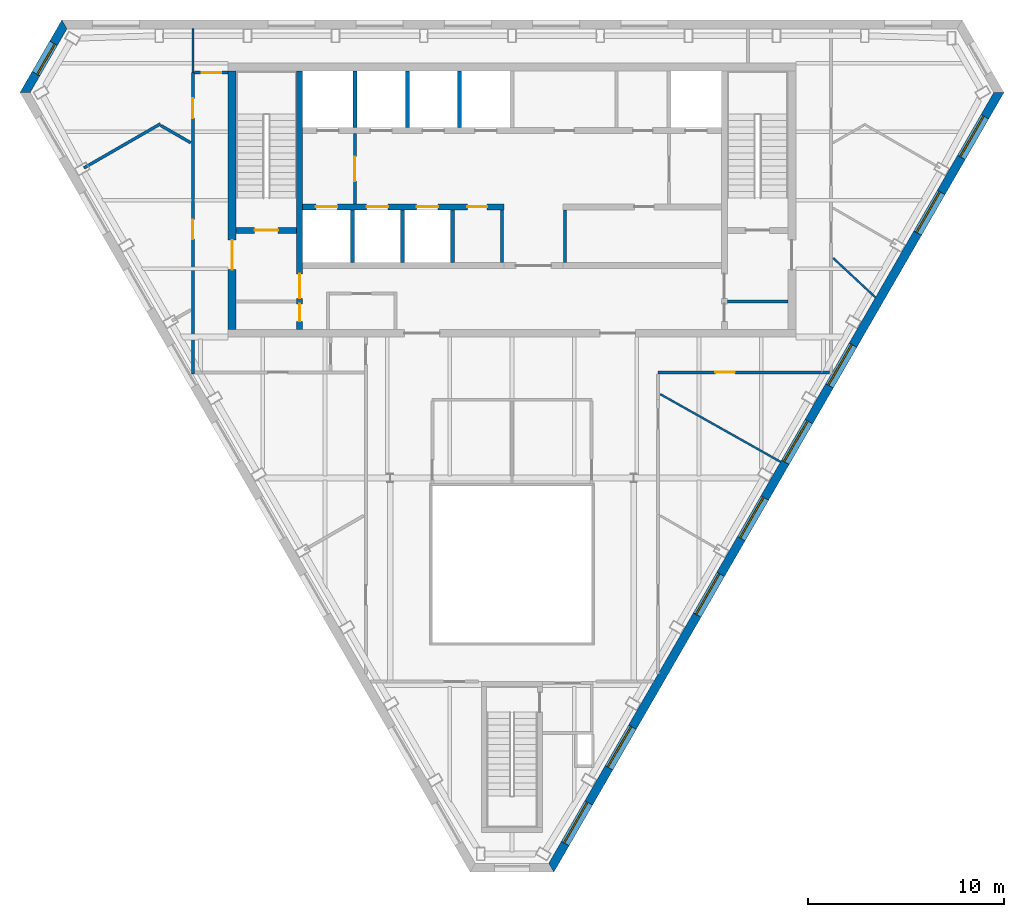
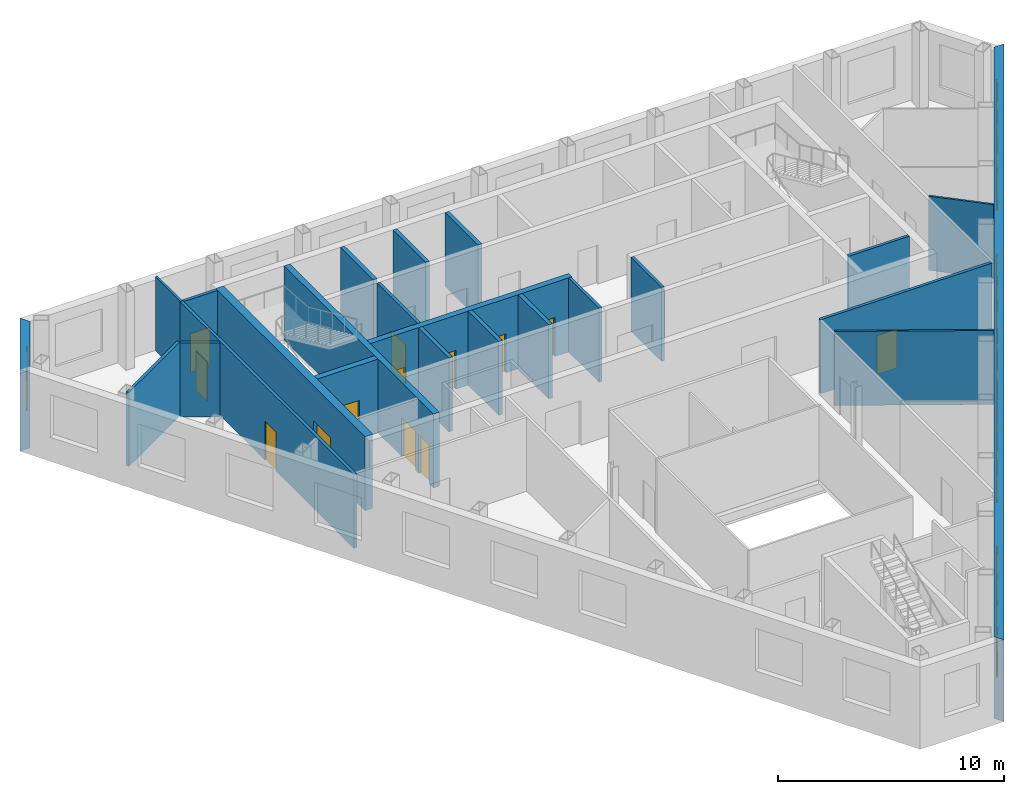
# One storey, part 5 of 9: 24 walls, 13 doors, 9 windows, 22 openings.
"""IFC4 building model written with IfcOpenShell, lengths in metres."""

import ifcopenshell
import ifcopenshell.guid

model = None  # the IFC model being written
_history = None  # IfcOwnerHistory: only IFC2X3 demands one
_inside = {}  # id of a spatial element -> (the spatial element, [elements in it])
_under = {}  # id of a project, library or spatial element -> (it, [spatial elements below it])
_declared = {}  # id of a project -> (the project, [libraries it declares])
_typed = {}  # id of a type object -> (the type object, [elements of that type])
_made_of = {}  # id of a material, layer set ... -> (it, [elements and type objects made of it])


def new_model(schema):
    """Start an empty IFC model of exactly this schema.

    Asked for "IFC4X3", IfcOpenShell would pick the latest addendum, in which some entities
    have other attributes; the version numbers below select the first issue.
    IFC2X3 requires an IfcOwnerHistory on every rooted entity: one is made here for all.
    """
    global model, _history
    if schema == "IFC4X3":
        model = ifcopenshell.file(schema_version=(4, 3, 0, 0))
    else:
        model = ifcopenshell.file(schema=schema)
    _inside.clear()
    _under.clear()
    _declared.clear()
    _typed.clear()
    _made_of.clear()
    _history = None
    if model.schema == "IFC2X3":
        org = make("IfcOrganization", Name="unknown")
        user = make(
            "IfcPersonAndOrganization",
            ThePerson=make("IfcPerson", FamilyName="unknown"),
            TheOrganization=org,
        )
        app = make(
            "IfcApplication",
            ApplicationDeveloper=org,
            Version="unknown",
            ApplicationFullName="unknown",
            ApplicationIdentifier="unknown",
        )
        _history = make(
            "IfcOwnerHistory",
            OwningUser=user,
            OwningApplication=app,
            ChangeAction="ADDED",
            CreationDate=0,
        )
    return model


def make(cls, **values):
    """One entity of the class cls with the attributes given. An attribute that is None is left unset."""
    return model.create_entity(
        cls, **{name: value for name, value in values.items() if value is not None}
    )


def rooted(cls, **values):
    """An entity with a GlobalId (a new one), such as an element, a storey or a relation."""
    return make(cls, GlobalId=ifcopenshell.guid.new(), OwnerHistory=_history, **values)


def si_unit(unit_type, name, prefix=None):
    """IfcSIUnit, for example si_unit("LENGTHUNIT", "METRE", prefix="MILLI")."""
    return make("IfcSIUnit", UnitType=unit_type, Prefix=prefix, Name=name)


def assignment(units):
    """IfcUnitAssignment: the units of a project."""
    return None if units is None else make("IfcUnitAssignment", Units=units)


def point(xyz):
    """IfcCartesianPoint."""
    return None if xyz is None else make("IfcCartesianPoint", Coordinates=xyz)


def direction(xyz):
    """IfcDirection."""
    return None if xyz is None else make("IfcDirection", DirectionRatios=xyz)


def frame(location, z_axis=None, x_axis=None):
    """IfcAxis2Placement3D, a coordinate frame: its origin and axes. An axis left out is left unset."""
    return make(
        "IfcAxis2Placement3D",
        Location=point(location),
        Axis=direction(z_axis),
        RefDirection=direction(x_axis),
    )


def frame_2d(location, x_axis=None):
    """IfcAxis2Placement2D, a coordinate frame in the plane: its origin and x axis."""
    return make(
        "IfcAxis2Placement2D", Location=point(location), RefDirection=direction(x_axis)
    )


def origin():
    """The frame at (0, 0, 0) with its axes left unset."""
    return frame((0.0, 0.0, 0.0))


def place(relative_to, where):
    """IfcLocalPlacement: puts the frame where relative to a parent placement (None: the world)."""
    return make(
        "IfcLocalPlacement", PlacementRelTo=relative_to, RelativePlacement=where
    )


def context(
    kind, dimensions, precision=None, world=None, true_north=None, identifier=None
):
    """IfcGeometricRepresentationContext, for example the 3D "Model" context."""
    return make(
        "IfcGeometricRepresentationContext",
        ContextIdentifier=identifier,
        ContextType=kind,
        CoordinateSpaceDimension=dimensions,
        Precision=precision,
        WorldCoordinateSystem=world,
        TrueNorth=true_north,
    )


def subcontext(parent, identifier, kind, view, scale=None):
    """IfcGeometricRepresentationSubContext, for example "Body" below "Model"."""
    return make(
        "IfcGeometricRepresentationSubContext",
        ContextIdentifier=identifier,
        ContextType=kind,
        ParentContext=parent,
        TargetScale=scale,
        TargetView=view,
    )


def project(units=None, contexts=None):
    """IfcProject with its units and contexts."""
    return rooted(
        "IfcProject",
        Name="project",
        RepresentationContexts=contexts,
        UnitsInContext=assignment(units),
    )


def spatial(cls, under=None, at=None, **own):
    """A site, building, storey or space (cls), placed at a placement, below another one or the project."""
    s = rooted(cls, ObjectPlacement=at, **own)
    if under is not None:
        _under.setdefault(under.id(), (under, []))[1].append(s)
    return s


def polyline(points):
    """IfcPolyline through the points."""
    return make("IfcPolyline", Points=[point(p) for p in points])


def profile(cls, at=None, kind="AREA", **sizes):
    """A parametric profile (cls). Its sizes go by their IFC names, for example OverallWidth=200.0."""
    return make(cls, ProfileType=kind, Position=at, **sizes)


def rectangle(**sizes):
    """IfcRectangleProfileDef."""
    return profile("IfcRectangleProfileDef", **sizes)


def outline(outer, holes=None, kind="AREA"):
    """IfcArbitraryClosedProfileDef: a profile drawn as a closed curve; with holes, ...WithVoids."""
    if holes is None:
        return make("IfcArbitraryClosedProfileDef", ProfileType=kind, OuterCurve=outer)
    return make(
        "IfcArbitraryProfileDefWithVoids",
        ProfileType=kind,
        OuterCurve=outer,
        InnerCurves=holes,
    )


def extrude(swept, where, along, depth):
    """IfcExtrudedAreaSolid: the profile swept, set in the frame where, extruded along a direction by depth."""
    return make(
        "IfcExtrudedAreaSolid",
        SweptArea=swept,
        Position=where,
        ExtrudedDirection=direction(along),
        Depth=depth,
    )


def shape(context_of_items, identifier, shape_type, items):
    """IfcShapeRepresentation: the items that make up one representation, for example the "Body"."""
    return make(
        "IfcShapeRepresentation",
        ContextOfItems=context_of_items,
        RepresentationIdentifier=identifier,
        RepresentationType=shape_type,
        Items=items,
    )


def material(Name=None, Category=None):
    """IfcMaterial."""
    return make("IfcMaterial", Name=Name, Category=Category)


def layer(
    of_material, thickness, ventilated=None, Name=None, Category=None, Priority=None
):
    """IfcMaterialLayer: one layer of a wall or slab, of a material (None: an air gap)."""
    return make(
        "IfcMaterialLayer",
        Material=of_material,
        LayerThickness=thickness,
        IsVentilated=ventilated,
        Name=Name,
        Category=Category,
        Priority=Priority,
    )


def layer_set(layers, Name=None):
    """IfcMaterialLayerSet."""
    return make("IfcMaterialLayerSet", MaterialLayers=layers, LayerSetName=Name)


def made_of(thing, what):
    """Note that an element or type object is made of a material, layer set ...; save() writes the relation."""
    if what is not None:
        _made_of.setdefault(what.id(), (what, []))[1].append(thing)
    return thing


def type_object(cls, material=None, **own):
    """A type object (cls), such as IfcWallType, which elements share."""
    return made_of(rooted(cls, **own), material)


def element(
    cls,
    number,
    at=None,
    inside=None,
    cuts=None,
    type_object=None,
    material=None,
    context=None,
    identifier="Body",
    shape_type=None,
    held_by="IfcProductDefinitionShape",
    body=None,
    shapes=None,
    **own,
):
    """One element of the class cls, such as IfcWall. Its Tag is "e" and its number.

    at: its placement. inside: the storey or other place that contains it. cuts: it is an
    opening in that element (IfcRelVoidsElement). A single representation is given by context,
    identifier, shape_type and body (its items); several are given by shapes. held_by: the class
    of the entity that holds the representations. save() writes the other relations.
    """
    e = rooted(cls, Tag="e%d" % number, ObjectPlacement=at, **own)
    if body is not None:
        shapes = [shape(context, identifier, shape_type, body)]
    if shapes is not None:
        e.Representation = make(held_by, Representations=shapes)
    if inside is not None:
        _inside.setdefault(inside.id(), (inside, []))[1].append(e)
    if cuts is not None:
        rooted(
            "IfcRelVoidsElement", RelatingBuildingElement=cuts, RelatedOpeningElement=e
        )
    if type_object is not None:
        _typed.setdefault(type_object.id(), (type_object, []))[1].append(e)
    return made_of(e, material)


def fill(opening, filler):
    """IfcRelFillsElement: the door or window that sits in an opening."""
    return rooted(
        "IfcRelFillsElement",
        RelatingOpeningElement=opening,
        RelatedBuildingElement=filler,
    )


def aggregate(whole, parts):
    """IfcRelAggregates: a whole, such as a stair, and the parts it consists of."""
    return rooted("IfcRelAggregates", RelatingObject=whole, RelatedObjects=parts)


def save(model, path):
    """Write the relations noted so far, then the file.

    IfcRelAggregates (storeys below a building ...), IfcRelContainedInSpatialStructure (elements
    in a storey), IfcRelDefinesByType, IfcRelAssociatesMaterial and IfcRelDeclares: one each for
    every whole, place, type object, material and project.
    """
    for whole, parts in _under.values():
        aggregate(whole, parts)
    for where, things in _inside.values():
        rooted(
            "IfcRelContainedInSpatialStructure",
            RelatedElements=things,
            RelatingStructure=where,
        )
    for kind, things in _typed.values():
        rooted("IfcRelDefinesByType", RelatedObjects=things, RelatingType=kind)
    for what, things in _made_of.values():
        rooted("IfcRelAssociatesMaterial", RelatedObjects=things, RelatingMaterial=what)
    for by, libraries in _declared.values():
        rooted("IfcRelDeclares", RelatingContext=by, RelatedDefinitions=libraries)
    model.write(path)


model = new_model("IFC4")

# Units and contexts
model_context = context("Model", 3, precision=1e-05, world=origin(), true_north=direction((0.0, 1.0)))
body_context = subcontext(model_context, "Body", "Model", "MODEL_VIEW")
ifc_project = project(units=[si_unit("LENGTHUNIT", "METRE"), si_unit("AREAUNIT", "SQUARE_METRE"), si_unit("VOLUMEUNIT", "CUBIC_METRE"), si_unit("PLANEANGLEUNIT", "RADIAN"), si_unit("MASSUNIT", "GRAM", prefix="KILO")], contexts=[model_context])

# Site, building, storey
site_placement = place(None, origin())
site = spatial("IfcSite", under=ifc_project, at=site_placement, CompositionType="ELEMENT")
building_placement = place(site_placement, origin())
building = spatial("IfcBuilding", under=site, at=building_placement, Name="Njiva Tower", CompositionType="ELEMENT")
storey_placement = place(building_placement, frame((0.0, 0.0, 325.2)))
storey = spatial("IfcBuildingStorey", under=building, at=storey_placement, Name="L74", CompositionType="ELEMENT", Elevation=325.2)

# Walls
ifc_material_1 = material(Name="Blockwork", Category="masonry")
ifc_layer_1 = layer(ifc_material_1, 0.15)
ifc_layer_set_1 = layer_set([ifc_layer_1], Name="Blockwork")
wall_type_1 = type_object("IfcWallType", Name="WT1 Compartment partition 150", PredefinedType="PARTITIONING", material=ifc_layer_set_1)
for number, where, z_axis, x_axis, name in (
    (1, (-0.5, 7.8, 0.0), (0.0, 0.0, 1.0), (0.0, 1.0, 0.0), "Partition CS4"),
    (2, (2.7, 7.8, 0.0), (0.0, 0.0, 1.0), (0.0, 1.0, 0.0), "Partition CS5"),
):
    element("IfcWall", number, at=place(storey_placement, frame(where, z_axis=z_axis, x_axis=x_axis)), inside=storey, type_object=wall_type_1, Name=name, PredefinedType="PARTITIONING", context=body_context, shape_type="SweptSolid", body=[
        extrude(rectangle(XDim=2.7, YDim=0.15, at=frame_2d((1.35, 0.0))), origin(), (0.0, 0.0, 1.0), 4.0),
    ])
wall_1_placement = place(storey_placement, frame((11.0, 5.825, 0.0), z_axis=(0.0, 0.0, 1.0), x_axis=(1.0, 0.0, 0.0)))
element("IfcWall", 3, at=wall_1_placement, inside=storey, type_object=wall_type_1, Name="Room wall B", PredefinedType="PARTITIONING", context=body_context, shape_type="SweptSolid", body=[
    extrude(rectangle(XDim=3.1, YDim=0.15, at=frame_2d((1.55, 0.0))), origin(), (0.0, 0.0, 1.0), 4.0),
])

# Wall, openings, doors
ifc_material_2 = material(Name="Concrete C40/50", Category="concrete")
ifc_layer_2 = layer(ifc_material_2, 0.3)
ifc_layer_set_2 = layer_set([ifc_layer_2], Name="Concrete C40/50")
wall_type_2 = type_object("IfcWallType", Name="WT10 Stair enclosure wall 300", PredefinedType="SHEAR", material=ifc_layer_set_2)
wall_2_placement = place(storey_placement, frame((-10.85, 4.4, 0.0), z_axis=(0.0, 0.0, 1.0), x_axis=(0.0, 1.0, 0.0)))
wall_2 = element("IfcWall", 4, at=wall_2_placement, inside=storey, type_object=wall_type_2, Name="Stair wall west inner", PredefinedType="SHEAR", context=body_context, shape_type="SweptSolid", body=[
    extrude(rectangle(XDim=13.2, YDim=0.3, at=frame_2d((6.6, 0.0))), origin(), (0.0, 0.0, 1.0), 4.0),
])
opening_1_placement = place(wall_2_placement, frame((1.575, 0.0, 0.0)))
opening_1 = element("IfcOpeningElement", 5, at=opening_1_placement, cuts=wall_2, Name="Opening S25-D915", PredefinedType="OPENING", context=body_context, shape_type="SweptSolid", body=[
    extrude(rectangle(XDim=1.25, YDim=2.1, at=frame_2d((0.625, 1.05))), frame((0.0, 0.16, 0.0), z_axis=(0.0, -1.0, 0.0), x_axis=(1.0, 0.0, 0.0)), (0.0, 0.0, 1.0), 0.32),
])
opening_2_placement = place(wall_2_placement, frame((0.4, 0.0, 0.0)))
opening_2 = element("IfcOpeningElement", 6, at=opening_2_placement, cuts=wall_2, Name="Opening S25-D917", PredefinedType="OPENING", context=body_context, shape_type="SweptSolid", body=[
    extrude(rectangle(XDim=0.9, YDim=2.1, at=frame_2d((0.45, 1.05))), frame((0.0, 0.16, 0.0), z_axis=(0.0, -1.0, 0.0), x_axis=(1.0, 0.0, 0.0)), (0.0, 0.0, 1.0), 0.32),
])
ifc_material_3 = material(Name="Steel door, painted", Category="steel")
door_type_1 = type_object("IfcDoorType", Name="D13 Steel door 900x2100", OperationType="SINGLE_SWING_LEFT", PredefinedType="DOOR", material=ifc_material_3)
door_1_placement = place(opening_2_placement, origin())
door_1 = element("IfcDoor", 7, at=door_1_placement, inside=storey, type_object=door_type_1, Name="Prayer room door", OperationType="SINGLE_SWING_RIGHT", OverallHeight=2.1, OverallWidth=0.9, PredefinedType="DOOR", context=body_context, shape_type="SweptSolid", body=[
    extrude(rectangle(XDim=0.9, YDim=2.1, at=frame_2d((0.45, 1.05))), frame((0.0, 0.025, 0.0), z_axis=(0.0, -1.0, 0.0), x_axis=(1.0, 0.0, 0.0)), (0.0, 0.0, 1.0), 0.05),
])
fill(opening_2, door_1)
ifc_material_4 = material(Name="Glazed steel fire door", Category="steel")
door_type_2 = type_object("IfcDoorType", Name="D8 Vestibule corridor door 1250x2100 glazed", OperationType="SINGLE_SWING_LEFT", PredefinedType="DOOR", material=ifc_material_4)
door_2_placement = place(opening_1_placement, origin())
door_2 = element("IfcDoor", 8, at=door_2_placement, inside=storey, type_object=door_type_2, Name="Stair vestibule corridor door", OperationType="SINGLE_SWING_LEFT", OverallHeight=2.1, OverallWidth=1.25, PredefinedType="DOOR", context=body_context, shape_type="SweptSolid", body=[
    extrude(rectangle(XDim=1.25, YDim=2.1, at=frame_2d((0.625, 1.05))), frame((0.0, 0.025, 0.0), z_axis=(0.0, -1.0, 0.0), x_axis=(1.0, 0.0, 0.0)), (0.0, 0.0, 1.0), 0.05),
])
fill(opening_1, door_2)

# Wall, opening, door
wall_3_placement = place(storey_placement, frame((-14.1, 9.45, 0.0), z_axis=(0.0, 0.0, 1.0), x_axis=(1.0, 0.0, 0.0)))
wall_3 = element("IfcWall", 9, at=wall_3_placement, inside=storey, type_object=wall_type_2, Name="Stair A south wall", PredefinedType="SHEAR", context=body_context, shape_type="SweptSolid", body=[
    extrude(rectangle(XDim=3.1, YDim=0.3, at=frame_2d((1.55, 0.0))), origin(), (0.0, 0.0, 1.0), 4.0),
])
opening_3_placement = place(wall_3_placement, frame((0.95, 0.0, 0.0)))
opening_3 = element("IfcOpeningElement", 10, at=opening_3_placement, cuts=wall_3, Name="Opening S25-D914", PredefinedType="OPENING", context=body_context, shape_type="SweptSolid", body=[
    extrude(rectangle(XDim=1.2, YDim=2.1, at=frame_2d((0.6, 1.05))), frame((0.0, 0.16, 0.0), z_axis=(0.0, -1.0, 0.0), x_axis=(1.0, 0.0, 0.0)), (0.0, 0.0, 1.0), 0.32),
])
door_type_3 = type_object("IfcDoorType", Name="D7 Stair vestibule door 1200x2100 glazed", OperationType="SINGLE_SWING_LEFT", PredefinedType="DOOR", material=ifc_material_4)
door_3_placement = place(opening_3_placement, origin())
door_3 = element("IfcDoor", 11, at=door_3_placement, inside=storey, type_object=door_type_3, Name="Stair A door", OperationType="SINGLE_SWING_LEFT", OverallHeight=2.1, OverallWidth=1.2, PredefinedType="DOOR", context=body_context, shape_type="SweptSolid", body=[
    extrude(rectangle(XDim=1.2, YDim=2.1, at=frame_2d((0.6, 1.05))), frame((0.0, 0.025, 0.0), z_axis=(0.0, -1.0, 0.0), x_axis=(1.0, 0.0, 0.0)), (0.0, 0.0, 1.0), 0.05),
])
fill(opening_3, door_3)

ifc_material_5 = material(Name="Concrete C60/75", Category="concrete")
ifc_layer_3 = layer(ifc_material_5, 0.4)
ifc_layer_set_3 = layer_set([ifc_layer_3], Name="Concrete C60/75")
wall_type_3 = type_object("IfcWallType", Name="WT11 Core wall 400", PredefinedType="SHEAR", material=ifc_layer_set_3)
wall_4_placement = place(storey_placement, frame((-14.3, 4.4, 0.0), z_axis=(0.0, 0.0, 1.0), x_axis=(0.0, 1.0, 0.0)))
wall_4 = element("IfcWall", 12, at=wall_4_placement, inside=storey, type_object=wall_type_3, Name="Core wall west", PredefinedType="SHEAR", context=body_context, shape_type="SweptSolid", body=[
    extrude(rectangle(XDim=13.2, YDim=0.4, at=frame_2d((6.6, 0.0))), origin(), (0.0, 0.0, 1.0), 4.0),
])
opening_4_placement = place(wall_4_placement, frame((3.05, 0.0, 0.0)))
opening_4 = element("IfcOpeningElement", 13, at=opening_4_placement, cuts=wall_4, Name="Opening S25-D916", PredefinedType="OPENING", context=body_context, shape_type="SweptSolid", body=[
    extrude(rectangle(XDim=1.5, YDim=2.1, at=frame_2d((0.75, 1.05))), frame((0.0, 0.21, 0.0), z_axis=(0.0, -1.0, 0.0), x_axis=(1.0, 0.0, 0.0)), (0.0, 0.0, 1.0), 0.42),
])
door_type_4 = type_object("IfcDoorType", Name="D10 Exit door double 1500x2100 glazed", OperationType="DOUBLE_DOOR_SINGLE_SWING", PredefinedType="DOOR", material=ifc_material_4)
door_4_placement = place(opening_4_placement, origin())
door_4 = element("IfcDoor", 14, at=door_4_placement, inside=storey, type_object=door_type_4, Name="Stair A corridor door", OperationType="DOUBLE_DOOR_SINGLE_SWING", OverallHeight=2.1, OverallWidth=1.5, PredefinedType="DOOR", context=body_context, shape_type="SweptSolid", body=[
    extrude(rectangle(XDim=1.5, YDim=2.1, at=frame_2d((0.75, 1.05))), frame((0.0, 0.025, 0.0), z_axis=(0.0, -1.0, 0.0), x_axis=(1.0, 0.0, 0.0)), (0.0, 0.0, 1.0), 0.05),
])
fill(opening_4, door_4)

ifc_layer_4 = layer(ifc_material_1, 0.15)
ifc_layer_set_4 = layer_set([ifc_layer_4], Name="Blockwork")
wall_type_4 = type_object("IfcWallType", Name="WT2 Lobby partition 150", PredefinedType="PARTITIONING", material=ifc_layer_set_4)
wall_5_placement = place(storey_placement, frame((-8.025, 10.8, 0.0), z_axis=(0.0, 0.0, 1.0), x_axis=(0.0, 1.0, 0.0)))
wall_5 = element("IfcWall", 15, at=wall_5_placement, inside=storey, type_object=wall_type_4, Name="Firefighting lobby wall A", PredefinedType="PARTITIONING", context=body_context, shape_type="SweptSolid", body=[
    extrude(rectangle(XDim=3.6, YDim=0.15, at=frame_2d((1.8, 0.0))), origin(), (0.0, 0.0, 1.0), 4.0),
])
opening_5_placement = place(wall_5_placement, frame((1.175, 0.0, 0.0)))
opening_5 = element("IfcOpeningElement", 16, at=opening_5_placement, cuts=wall_5, Name="Opening S25-D913", PredefinedType="OPENING", context=body_context, shape_type="SweptSolid", body=[
    extrude(rectangle(XDim=1.25, YDim=2.1, at=frame_2d((0.625, 1.05))), frame((0.0, 0.085, 0.0), z_axis=(0.0, -1.0, 0.0), x_axis=(1.0, 0.0, 0.0)), (0.0, 0.0, 1.0), 0.17),
])
door_5_placement = place(opening_5_placement, origin())
door_5 = element("IfcDoor", 17, at=door_5_placement, inside=storey, type_object=door_type_2, Name="Stair vestibule corridor door", OperationType="SINGLE_SWING_RIGHT", OverallHeight=2.1, OverallWidth=1.25, PredefinedType="DOOR", context=body_context, shape_type="SweptSolid", body=[
    extrude(rectangle(XDim=1.25, YDim=2.1, at=frame_2d((0.625, 1.05))), frame((0.0, 0.025, 0.0), z_axis=(0.0, -1.0, 0.0), x_axis=(1.0, 0.0, 0.0)), (0.0, 0.0, 1.0), 0.05),
])
fill(opening_5, door_5)

# Walls
ifc_material_6 = material(Name="Gypsum board on steel studs", Category="gypsum")
ifc_layer_5 = layer(ifc_material_6, 0.1)
ifc_layer_set_5 = layer_set([ifc_layer_5], Name="Gypsum board on steel studs")
wall_type_5 = type_object("IfcWallType", Name="WT20 Gypsum partition 100", PredefinedType="PARTITIONING", material=ifc_layer_set_5)
wall_6_placement = place(storey_placement, frame((-16.3, 17.524, 0.0), z_axis=(0.0, 0.0, 1.0), x_axis=(0.0, 1.0, 0.0)))
element("IfcWall", 18, at=wall_6_placement, inside=storey, type_object=wall_type_5, Name="Partition S25-P005", PredefinedType="PARTITIONING", context=body_context, shape_type="SweptSolid", body=[
    extrude(rectangle(XDim=2.224, YDim=0.1, at=frame_2d((1.112, 0.0))), origin(), (0.0, 0.0, 1.0), 4.0),
])
wall_7_placement = place(storey_placement, frame((7.57, 1.087, 0.0), z_axis=(0.0, 0.0, 1.0), x_axis=(0.871545267987, -0.490315047546, 0.0)))
element("IfcWall", 19, at=wall_7_placement, inside=storey, type_object=wall_type_5, Name="Partition S25-P021", PredefinedType="PARTITIONING", context=body_context, shape_type="SweptSolid", body=[
    extrude(rectangle(XDim=7.0587, YDim=0.1, at=frame_2d((3.5294, 0.0))), origin(), (0.0, 0.0, 1.0), 4.0),
])
wall_8_placement = place(storey_placement, frame((16.409, 8.039, 0.0), z_axis=(0.0, 0.0, 1.0), x_axis=(0.732202441649, -0.68108706084, 0.0)))
element("IfcWall", 20, at=wall_8_placement, inside=storey, type_object=wall_type_5, Name="Partition S25-P027", PredefinedType="PARTITIONING", context=body_context, shape_type="SweptSolid", body=[
    extrude(rectangle(XDim=2.9541, YDim=0.1, at=frame_2d((1.477, 0.0))), origin(), (0.0, 0.0, 1.0), 4.0),
])
ifc_layer_6 = layer(ifc_material_6, 0.15)
ifc_layer_set_6 = layer_set([ifc_layer_6], Name="Gypsum board on steel studs")
wall_type_6 = type_object("IfcWallType", Name="WT21 Compartment wall 150", PredefinedType="PARTITIONING", material=ifc_layer_set_6)
wall_9_placement = place(storey_placement, frame((-21.872, 12.642, 0.0), z_axis=(0.0, 0.0, 1.0), x_axis=(0.866259344548, 0.499594583621, 0.0)))
element("IfcWall", 21, at=wall_9_placement, inside=storey, type_object=wall_type_6, Name="Partition S25-P001", PredefinedType="PARTITIONING", context=body_context, shape_type="SweptSolid", body=[
    extrude(rectangle(XDim=4.5137, YDim=0.15, at=frame_2d((2.2568, 0.0))), origin(), (0.0, 0.0, 1.0), 4.0),
])
wall_10_placement = place(storey_placement, frame((-17.938, 14.809, 0.0), z_axis=(0.0, 0.0, 1.0), x_axis=(0.866034375916, -0.49998445949, 0.0)))
element("IfcWall", 22, at=wall_10_placement, inside=storey, type_object=wall_type_6, Name="Partition S25-P002", PredefinedType="PARTITIONING", context=body_context, shape_type="SweptSolid", body=[
    extrude(rectangle(XDim=1.7621, YDim=0.15, at=frame_2d((0.881, 0.0))), origin(), (0.0, 0.0, 1.0), 4.0),
])

# Wall, openings, doors
wall_11_placement = place(storey_placement, frame((-16.3, 2.125, 0.0), z_axis=(0.0, 0.0, 1.0), x_axis=(0.0, 1.0, 0.0)))
wall_11 = element("IfcWall", 23, at=wall_11_placement, inside=storey, type_object=wall_type_6, Name="Partition S25-P004", PredefinedType="PARTITIONING", context=body_context, shape_type="SweptSolid", body=[
    extrude(rectangle(XDim=15.399, YDim=0.15, at=frame_2d((7.6995, 0.0))), origin(), (0.0, 0.0, 1.0), 4.0),
])
opening_6_placement = place(wall_11_placement, frame((6.88, 0.0, 0.0)))
opening_6 = element("IfcOpeningElement", 24, at=opening_6_placement, cuts=wall_11, Name="Opening S25-D001", PredefinedType="OPENING", context=body_context, shape_type="SweptSolid", body=[
    extrude(rectangle(XDim=1.0, YDim=2.1, at=frame_2d((0.5, 1.05))), frame((0.0, 0.085, 0.0), z_axis=(0.0, -1.0, 0.0), x_axis=(1.0, 0.0, 0.0)), (0.0, 0.0, 1.0), 0.17),
])
opening_7_placement = place(wall_11_placement, frame((13.069, 0.0, 0.0)))
opening_7 = element("IfcOpeningElement", 25, at=opening_7_placement, cuts=wall_11, Name="Opening S25-D002", PredefinedType="OPENING", context=body_context, shape_type="SweptSolid", body=[
    extrude(rectangle(XDim=1.0, YDim=2.1, at=frame_2d((0.5, 1.05))), frame((0.0, 0.085, 0.0), z_axis=(0.0, -1.0, 0.0), x_axis=(1.0, 0.0, 0.0)), (0.0, 0.0, 1.0), 0.17),
])
ifc_material_7 = material(Name="Steel fire door set", Category="steel")
door_type_5 = type_object("IfcDoorType", Name="D37 Fire door 1000x2100", OperationType="SINGLE_SWING_LEFT", PredefinedType="DOOR", material=ifc_material_7)
door_6_placement = place(opening_6_placement, origin())
door_6 = element("IfcDoor", 26, at=door_6_placement, inside=storey, type_object=door_type_5, Name="Door S25-D001", OperationType="SINGLE_SWING_RIGHT", OverallHeight=2.1, OverallWidth=1.0, PredefinedType="DOOR", context=body_context, shape_type="SweptSolid", body=[
    extrude(rectangle(XDim=1.0, YDim=2.1, at=frame_2d((0.5, 1.05))), frame((0.0, 0.025, 0.0), z_axis=(0.0, -1.0, 0.0), x_axis=(1.0, 0.0, 0.0)), (0.0, 0.0, 1.0), 0.05),
])
fill(opening_6, door_6)
door_7_placement = place(opening_7_placement, origin())
door_7 = element("IfcDoor", 27, at=door_7_placement, inside=storey, type_object=door_type_5, Name="Door S25-D002", OperationType="SINGLE_SWING_LEFT", OverallHeight=2.1, OverallWidth=1.0, PredefinedType="DOOR", context=body_context, shape_type="SweptSolid", body=[
    extrude(rectangle(XDim=1.0, YDim=2.1, at=frame_2d((0.5, 1.05))), frame((0.0, 0.025, 0.0), z_axis=(0.0, -1.0, 0.0), x_axis=(1.0, 0.0, 0.0)), (0.0, 0.0, 1.0), 0.05),
])
fill(opening_7, door_7)

# Wall, opening, door
wall_12_placement = place(storey_placement, frame((-16.225, 17.512, 0.0), z_axis=(0.0, 0.0, 1.0), x_axis=(1.0, 0.0, 0.0)))
wall_12 = element("IfcWall", 28, at=wall_12_placement, inside=storey, type_object=wall_type_6, Name="Partition S25-P007", PredefinedType="PARTITIONING", context=body_context, shape_type="SweptSolid", body=[
    extrude(rectangle(XDim=1.725, YDim=0.15, at=frame_2d((0.8625, 0.0))), origin(), (0.0, 0.0, 1.0), 4.0),
])
opening_8_placement = place(wall_12_placement, frame((0.363, 0.0, 0.0)))
opening_8 = element("IfcOpeningElement", 29, at=opening_8_placement, cuts=wall_12, Name="Opening S25-D004", PredefinedType="OPENING", context=body_context, shape_type="SweptSolid", body=[
    extrude(rectangle(XDim=1.0, YDim=2.1, at=frame_2d((0.5, 1.05))), frame((0.0, 0.085, 0.0), z_axis=(0.0, -1.0, 0.0), x_axis=(1.0, 0.0, 0.0)), (0.0, 0.0, 1.0), 0.17),
])
door_8_placement = place(opening_8_placement, origin())
door_8 = element("IfcDoor", 30, at=door_8_placement, inside=storey, type_object=door_type_5, Name="Door S25-D004", OperationType="SINGLE_SWING_LEFT", OverallHeight=2.1, OverallWidth=1.0, PredefinedType="DOOR", context=body_context, shape_type="SweptSolid", body=[
    extrude(rectangle(XDim=1.0, YDim=2.1, at=frame_2d((0.5, 1.05))), frame((0.0, 0.025, 0.0), z_axis=(0.0, -1.0, 0.0), x_axis=(1.0, 0.0, 0.0)), (0.0, 0.0, 1.0), 0.05),
])
fill(opening_8, door_8)

wall_13_placement = place(storey_placement, frame((7.47, 2.2, 0.0), z_axis=(0.0, 0.0, 1.0), x_axis=(1.0, 0.0, 0.0)))
wall_13 = element("IfcWall", 31, at=wall_13_placement, inside=storey, type_object=wall_type_6, Name="Partition S25-P020", PredefinedType="PARTITIONING", context=body_context, shape_type="SweptSolid", body=[
    extrude(rectangle(XDim=8.755, YDim=0.15, at=frame_2d((4.3775, 0.0))), origin(), (0.0, 0.0, 1.0), 4.0),
])
opening_9_placement = place(wall_13_placement, frame((2.922, 0.0, 0.0)))
opening_9 = element("IfcOpeningElement", 32, at=opening_9_placement, cuts=wall_13, Name="Opening S25-D013", PredefinedType="OPENING", context=body_context, shape_type="SweptSolid", body=[
    extrude(rectangle(XDim=1.0, YDim=2.1, at=frame_2d((0.5, 1.05))), frame((0.0, 0.085, 0.0), z_axis=(0.0, -1.0, 0.0), x_axis=(1.0, 0.0, 0.0)), (0.0, 0.0, 1.0), 0.17),
])
door_9_placement = place(opening_9_placement, origin())
door_9 = element("IfcDoor", 33, at=door_9_placement, inside=storey, type_object=door_type_5, Name="Door S25-D013", OperationType="SINGLE_SWING_LEFT", OverallHeight=2.1, OverallWidth=1.0, PredefinedType="DOOR", context=body_context, shape_type="SweptSolid", body=[
    extrude(rectangle(XDim=1.0, YDim=2.1, at=frame_2d((0.5, 1.05))), frame((0.0, 0.025, 0.0), z_axis=(0.0, -1.0, 0.0), x_axis=(1.0, 0.0, 0.0)), (0.0, 0.0, 1.0), 0.05),
])
fill(opening_9, door_9)

# Walls
ifc_layer_7 = layer(ifc_material_2, 0.2)
ifc_layer_set_7 = layer_set([ifc_layer_7], Name="Concrete C40/50")
wall_type_7 = type_object("IfcWallType", Name="WT6 Lift shaft wall 200", PredefinedType="SHEAR", material=ifc_layer_set_7)
for number, where, z_axis, x_axis, name in (
    (34, (-8.025, 14.7, 0.0), (0.0, 0.0, 1.0), (0.0, 1.0, 0.0), "Shaft wall CN1"),
    (35, (-5.35, 14.7, 0.0), (0.0, 0.0, 1.0), (0.0, 1.0, 0.0), "Shaft wall CN2"),
    (36, (-2.675, 14.7, 0.0), (0.0, 0.0, 1.0), (0.0, 1.0, 0.0), "Shaft wall CN3"),
):
    element("IfcWall", number, at=place(storey_placement, frame(where, z_axis=z_axis, x_axis=x_axis)), inside=storey, type_object=wall_type_7, Name=name, PredefinedType="SHEAR", context=body_context, shape_type="SweptSolid", body=[
        extrude(rectangle(XDim=2.9, YDim=0.2, at=frame_2d((1.45, 0.0))), origin(), (0.0, 0.0, 1.0), 4.0),
    ])
for number, where, z_axis, x_axis, name in (
    (37, (-8.15, 7.8, 0.0), (0.0, 0.0, 1.0), (0.0, 1.0, 0.0), "Shaft wall CS1"),
    (38, (-5.6, 7.8, 0.0), (0.0, 0.0, 1.0), (0.0, 1.0, 0.0), "Shaft wall CS2"),
    (39, (-3.05, 7.8, 0.0), (0.0, 0.0, 1.0), (0.0, 1.0, 0.0), "Shaft wall CS3"),
):
    element("IfcWall", number, at=place(storey_placement, frame(where, z_axis=z_axis, x_axis=x_axis)), inside=storey, type_object=wall_type_7, Name=name, PredefinedType="SHEAR", context=body_context, shape_type="SweptSolid", body=[
        extrude(rectangle(XDim=2.7, YDim=0.2, at=frame_2d((1.35, 0.0))), origin(), (0.0, 0.0, 1.0), 4.0),
    ])

# Wall, openings, doors
ifc_layer_8 = layer(ifc_material_2, 0.3)
ifc_layer_set_8 = layer_set([ifc_layer_8], Name="Concrete C40/50")
wall_type_8 = type_object("IfcWallType", Name="WT7 Lift shaft wall 300", PredefinedType="SHEAR", material=ifc_layer_set_8)
wall_14_placement = place(storey_placement, frame((-10.7, 10.65, 0.0), z_axis=(0.0, 0.0, 1.0), x_axis=(1.0, 0.0, 0.0)))
wall_14 = element("IfcWall", 40, at=wall_14_placement, inside=storey, type_object=wall_type_8, Name="Shaft wall south row lobby side W", PredefinedType="SHEAR", context=body_context, shape_type="SweptSolid", body=[
    extrude(rectangle(XDim=10.3, YDim=0.3, at=frame_2d((5.15, 0.0))), origin(), (0.0, 0.0, 1.0), 4.0),
])
opening_10_placement = place(wall_14_placement, frame((0.675, 0.0, 0.0)))
opening_10 = element("IfcOpeningElement", 41, at=opening_10_placement, cuts=wall_14, Name="Opening S25-D906", PredefinedType="OPENING", context=body_context, shape_type="SweptSolid", body=[
    extrude(rectangle(XDim=1.1, YDim=2.1, at=frame_2d((0.55, 1.05))), frame((0.0, 0.16, 0.0), z_axis=(0.0, -1.0, 0.0), x_axis=(1.0, 0.0, 0.0)), (0.0, 0.0, 1.0), 0.32),
])
opening_11_placement = place(wall_14_placement, frame((3.275, 0.0, 0.0)))
opening_11 = element("IfcOpeningElement", 42, at=opening_11_placement, cuts=wall_14, Name="Opening S25-D907", PredefinedType="OPENING", context=body_context, shape_type="SweptSolid", body=[
    extrude(rectangle(XDim=1.1, YDim=2.1, at=frame_2d((0.55, 1.05))), frame((0.0, 0.16, 0.0), z_axis=(0.0, -1.0, 0.0), x_axis=(1.0, 0.0, 0.0)), (0.0, 0.0, 1.0), 0.32),
])
opening_12_placement = place(wall_14_placement, frame((5.825, 0.0, 0.0)))
opening_12 = element("IfcOpeningElement", 43, at=opening_12_placement, cuts=wall_14, Name="Opening S25-D908", PredefinedType="OPENING", context=body_context, shape_type="SweptSolid", body=[
    extrude(rectangle(XDim=1.1, YDim=2.1, at=frame_2d((0.55, 1.05))), frame((0.0, 0.16, 0.0), z_axis=(0.0, -1.0, 0.0), x_axis=(1.0, 0.0, 0.0)), (0.0, 0.0, 1.0), 0.32),
])
opening_13_placement = place(wall_14_placement, frame((8.425, 0.0, 0.0)))
opening_13 = element("IfcOpeningElement", 44, at=opening_13_placement, cuts=wall_14, Name="Opening S25-D911", PredefinedType="OPENING", context=body_context, shape_type="SweptSolid", body=[
    extrude(rectangle(XDim=1.0, YDim=2.1, at=frame_2d((0.5, 1.05))), frame((0.0, 0.16, 0.0), z_axis=(0.0, -1.0, 0.0), x_axis=(1.0, 0.0, 0.0)), (0.0, 0.0, 1.0), 0.32),
])
door_type_6 = type_object("IfcDoorType", Name="D5 Steel door 1000x2100", OperationType="SINGLE_SWING_LEFT", PredefinedType="DOOR", material=ifc_material_3)
door_10_placement = place(opening_13_placement, origin())
door_10 = element("IfcDoor", 45, at=door_10_placement, inside=storey, type_object=door_type_6, Name="Reading room door", OperationType="SINGLE_SWING_RIGHT", OverallHeight=2.1, OverallWidth=1.0, PredefinedType="DOOR", context=body_context, shape_type="SweptSolid", body=[
    extrude(rectangle(XDim=1.0, YDim=2.1, at=frame_2d((0.5, 1.05))), frame((0.0, 0.025, 0.0), z_axis=(0.0, -1.0, 0.0), x_axis=(1.0, 0.0, 0.0)), (0.0, 0.0, 1.0), 0.05),
])
fill(opening_13, door_10)
ifc_material_8 = material(Name="Stainless steel sliding door", Category="steel")
door_type_7 = type_object("IfcDoorType", Name="LD Lift landing door 1100x2100", OperationType="SLIDING_TO_LEFT", PredefinedType="DOOR", material=ifc_material_8)
door_11_placement = place(opening_10_placement, origin())
door_11 = element("IfcDoor", 46, at=door_11_placement, inside=storey, type_object=door_type_7, Name="Lift landing door HB1", OperationType="SLIDING_TO_LEFT", OverallHeight=2.1, OverallWidth=1.1, PredefinedType="DOOR", context=body_context, shape_type="SweptSolid", body=[
    extrude(rectangle(XDim=1.1, YDim=2.1, at=frame_2d((0.55, 1.05))), frame((0.0, 0.025, 0.0), z_axis=(0.0, -1.0, 0.0), x_axis=(1.0, 0.0, 0.0)), (0.0, 0.0, 1.0), 0.05),
])
fill(opening_10, door_11)
door_12_placement = place(opening_11_placement, origin())
door_12 = element("IfcDoor", 47, at=door_12_placement, inside=storey, type_object=door_type_7, Name="Lift landing door HB2", OperationType="SLIDING_TO_LEFT", OverallHeight=2.1, OverallWidth=1.1, PredefinedType="DOOR", context=body_context, shape_type="SweptSolid", body=[
    extrude(rectangle(XDim=1.1, YDim=2.1, at=frame_2d((0.55, 1.05))), frame((0.0, 0.025, 0.0), z_axis=(0.0, -1.0, 0.0), x_axis=(1.0, 0.0, 0.0)), (0.0, 0.0, 1.0), 0.05),
])
fill(opening_11, door_12)
door_13_placement = place(opening_12_placement, origin())
door_13 = element("IfcDoor", 48, at=door_13_placement, inside=storey, type_object=door_type_7, Name="Lift landing door HB3", OperationType="SLIDING_TO_LEFT", OverallHeight=2.1, OverallWidth=1.1, PredefinedType="DOOR", context=body_context, shape_type="SweptSolid", body=[
    extrude(rectangle(XDim=1.1, YDim=2.1, at=frame_2d((0.55, 1.05))), frame((0.0, 0.025, 0.0), z_axis=(0.0, -1.0, 0.0), x_axis=(1.0, 0.0, 0.0)), (0.0, 0.0, 1.0), 0.05),
])
fill(opening_12, door_13)

# Wall, openings, windows
ifc_material_9 = material(Name="Brick masonry", Category="masonry")
ifc_layer_9 = layer(ifc_material_9, 0.45)
ifc_layer_set_9 = layer_set([ifc_layer_9], Name="Brick masonry")
wall_type_9 = type_object("IfcWallType", Name="WT90 Brick pier and spandrel wall 450", PredefinedType="SOLIDWALL", material=ifc_layer_set_9)
wall_15_placement = place(storey_placement, frame((2.0101, -23.1101, -0.4), z_axis=(0.0, 0.0, 1.0), x_axis=(0.500000141277, 0.866025322218, 0.0)))
wall_15 = element("IfcWall", 49, at=wall_15_placement, inside=storey, type_object=wall_type_9, Name="Facade wall SE", PredefinedType="SOLIDWALL", context=body_context, shape_type="SweptSolid", body=[
    extrude(outline(polyline([(-0.1299, -0.225), (45.8601, -0.225), (45.6003, 0.225), (0.1299, 0.225), (-0.1299, -0.225)])), origin(), (0.0, 0.0, 1.0), 4.42),
])
opening_14_placement = place(wall_15_placement, frame((1.4237, 0.0, 1.3)))
opening_14 = element("IfcOpeningElement", 50, at=opening_14_placement, cuts=wall_15, Name="Opening S25-W19", PredefinedType="OPENING", context=body_context, shape_type="SweptSolid", body=[
    extrude(rectangle(XDim=2.4, YDim=2.3, at=frame_2d((1.2, 1.15))), frame((0.0, 0.235, 0.0), z_axis=(0.0, -1.0, 0.0), x_axis=(1.0, 0.0, 0.0)), (0.0, 0.0, 1.0), 0.47),
])
opening_15_placement = place(wall_15_placement, frame((5.8919, 0.0, 1.3)))
opening_15 = element("IfcOpeningElement", 51, at=opening_15_placement, cuts=wall_15, Name="Opening S25-W20", PredefinedType="OPENING", context=body_context, shape_type="SweptSolid", body=[
    extrude(rectangle(XDim=2.4, YDim=2.3, at=frame_2d((1.2, 1.15))), frame((0.0, 0.235, 0.0), z_axis=(0.0, -1.0, 0.0), x_axis=(1.0, 0.0, 0.0)), (0.0, 0.0, 1.0), 0.47),
])
opening_16_placement = place(wall_15_placement, frame((14.9052, 0.0, 1.3)))
opening_16 = element("IfcOpeningElement", 52, at=opening_16_placement, cuts=wall_15, Name="Opening S25-W21", PredefinedType="OPENING", context=body_context, shape_type="SweptSolid", body=[
    extrude(rectangle(XDim=2.4, YDim=2.3, at=frame_2d((1.2, 1.15))), frame((0.0, 0.235, 0.0), z_axis=(0.0, -1.0, 0.0), x_axis=(1.0, 0.0, 0.0)), (0.0, 0.0, 1.0), 0.47),
])
opening_17_placement = place(wall_15_placement, frame((19.4118, 0.0, 1.3)))
opening_17 = element("IfcOpeningElement", 53, at=opening_17_placement, cuts=wall_15, Name="Opening S25-W22", PredefinedType="OPENING", context=body_context, shape_type="SweptSolid", body=[
    extrude(rectangle(XDim=2.4, YDim=2.3, at=frame_2d((1.2, 1.15))), frame((0.0, 0.235, 0.0), z_axis=(0.0, -1.0, 0.0), x_axis=(1.0, 0.0, 0.0)), (0.0, 0.0, 1.0), 0.47),
])
opening_18_placement = place(wall_15_placement, frame((23.9184, 0.0, 1.3)))
opening_18 = element("IfcOpeningElement", 54, at=opening_18_placement, cuts=wall_15, Name="Opening S25-W23", PredefinedType="OPENING", context=body_context, shape_type="SweptSolid", body=[
    extrude(rectangle(XDim=2.4, YDim=2.3, at=frame_2d((1.2, 1.15))), frame((0.0, 0.235, 0.0), z_axis=(0.0, -1.0, 0.0), x_axis=(1.0, 0.0, 0.0)), (0.0, 0.0, 1.0), 0.47),
])
opening_19_placement = place(wall_15_placement, frame((28.425, 0.0, 1.3)))
opening_19 = element("IfcOpeningElement", 55, at=opening_19_placement, cuts=wall_15, Name="Opening S25-W24", PredefinedType="OPENING", context=body_context, shape_type="SweptSolid", body=[
    extrude(rectangle(XDim=2.4, YDim=2.3, at=frame_2d((1.2, 1.15))), frame((0.0, 0.235, 0.0), z_axis=(0.0, -1.0, 0.0), x_axis=(1.0, 0.0, 0.0)), (0.0, 0.0, 1.0), 0.47),
])
opening_20_placement = place(wall_15_placement, frame((37.4383, 0.0, 1.3)))
opening_20 = element("IfcOpeningElement", 56, at=opening_20_placement, cuts=wall_15, Name="Opening S25-W25", PredefinedType="OPENING", context=body_context, shape_type="SweptSolid", body=[
    extrude(rectangle(XDim=2.4, YDim=2.3, at=frame_2d((1.2, 1.15))), frame((0.0, 0.235, 0.0), z_axis=(0.0, -1.0, 0.0), x_axis=(1.0, 0.0, 0.0)), (0.0, 0.0, 1.0), 0.47),
])
opening_21_placement = place(wall_15_placement, frame((41.9065, 0.0, 1.3)))
opening_21 = element("IfcOpeningElement", 57, at=opening_21_placement, cuts=wall_15, Name="Opening S25-W26", PredefinedType="OPENING", context=body_context, shape_type="SweptSolid", body=[
    extrude(rectangle(XDim=2.4, YDim=2.3, at=frame_2d((1.2, 1.15))), frame((0.0, 0.235, 0.0), z_axis=(0.0, -1.0, 0.0), x_axis=(1.0, 0.0, 0.0)), (0.0, 0.0, 1.0), 0.47),
])
ifc_material_10 = material(Name="Clear glazing in aluminium frame", Category="aluminium")
window_type_1 = type_object("IfcWindowType", Name="W91 Deep-set window 2400x2300", PartitioningType="SINGLE_PANEL", PredefinedType="WINDOW", material=ifc_material_10)
window_1_placement = place(opening_14_placement, origin())
window_1 = element("IfcWindow", 58, at=window_1_placement, inside=storey, type_object=window_type_1, Name="Window", OverallHeight=2.3, OverallWidth=2.4, PartitioningType="SINGLE_PANEL", PredefinedType="WINDOW", context=body_context, shape_type="SweptSolid", body=[
    extrude(rectangle(XDim=2.4, YDim=2.3, at=frame_2d((1.2, 1.15))), frame((0.0, 0.105, 0.0), z_axis=(0.0, -1.0, 0.0), x_axis=(1.0, 0.0, 0.0)), (0.0, 0.0, 1.0), 0.06),
])
fill(opening_14, window_1)
window_2_placement = place(opening_15_placement, origin())
window_2 = element("IfcWindow", 59, at=window_2_placement, inside=storey, type_object=window_type_1, Name="Window", OverallHeight=2.3, OverallWidth=2.4, PartitioningType="SINGLE_PANEL", PredefinedType="WINDOW", context=body_context, shape_type="SweptSolid", body=[
    extrude(rectangle(XDim=2.4, YDim=2.3, at=frame_2d((1.2, 1.15))), frame((0.0, 0.105, 0.0), z_axis=(0.0, -1.0, 0.0), x_axis=(1.0, 0.0, 0.0)), (0.0, 0.0, 1.0), 0.06),
])
fill(opening_15, window_2)
window_3_placement = place(opening_16_placement, origin())
window_3 = element("IfcWindow", 60, at=window_3_placement, inside=storey, type_object=window_type_1, Name="Window", OverallHeight=2.3, OverallWidth=2.4, PartitioningType="SINGLE_PANEL", PredefinedType="WINDOW", context=body_context, shape_type="SweptSolid", body=[
    extrude(rectangle(XDim=2.4, YDim=2.3, at=frame_2d((1.2, 1.15))), frame((0.0, 0.105, 0.0), z_axis=(0.0, -1.0, 0.0), x_axis=(1.0, 0.0, 0.0)), (0.0, 0.0, 1.0), 0.06),
])
fill(opening_16, window_3)
window_4_placement = place(opening_17_placement, origin())
window_4 = element("IfcWindow", 61, at=window_4_placement, inside=storey, type_object=window_type_1, Name="Window", OverallHeight=2.3, OverallWidth=2.4, PartitioningType="SINGLE_PANEL", PredefinedType="WINDOW", context=body_context, shape_type="SweptSolid", body=[
    extrude(rectangle(XDim=2.4, YDim=2.3, at=frame_2d((1.2, 1.15))), frame((0.0, 0.105, 0.0), z_axis=(0.0, -1.0, 0.0), x_axis=(1.0, 0.0, 0.0)), (0.0, 0.0, 1.0), 0.06),
])
fill(opening_17, window_4)
window_5_placement = place(opening_18_placement, origin())
window_5 = element("IfcWindow", 62, at=window_5_placement, inside=storey, type_object=window_type_1, Name="Window", OverallHeight=2.3, OverallWidth=2.4, PartitioningType="SINGLE_PANEL", PredefinedType="WINDOW", context=body_context, shape_type="SweptSolid", body=[
    extrude(rectangle(XDim=2.4, YDim=2.3, at=frame_2d((1.2, 1.15))), frame((0.0, 0.105, 0.0), z_axis=(0.0, -1.0, 0.0), x_axis=(1.0, 0.0, 0.0)), (0.0, 0.0, 1.0), 0.06),
])
fill(opening_18, window_5)
window_6_placement = place(opening_19_placement, origin())
window_6 = element("IfcWindow", 63, at=window_6_placement, inside=storey, type_object=window_type_1, Name="Window", OverallHeight=2.3, OverallWidth=2.4, PartitioningType="SINGLE_PANEL", PredefinedType="WINDOW", context=body_context, shape_type="SweptSolid", body=[
    extrude(rectangle(XDim=2.4, YDim=2.3, at=frame_2d((1.2, 1.15))), frame((0.0, 0.105, 0.0), z_axis=(0.0, -1.0, 0.0), x_axis=(1.0, 0.0, 0.0)), (0.0, 0.0, 1.0), 0.06),
])
fill(opening_19, window_6)
window_7_placement = place(opening_20_placement, origin())
window_7 = element("IfcWindow", 64, at=window_7_placement, inside=storey, type_object=window_type_1, Name="Window", OverallHeight=2.3, OverallWidth=2.4, PartitioningType="SINGLE_PANEL", PredefinedType="WINDOW", context=body_context, shape_type="SweptSolid", body=[
    extrude(rectangle(XDim=2.4, YDim=2.3, at=frame_2d((1.2, 1.15))), frame((0.0, 0.105, 0.0), z_axis=(0.0, -1.0, 0.0), x_axis=(1.0, 0.0, 0.0)), (0.0, 0.0, 1.0), 0.06),
])
fill(opening_20, window_7)
window_8_placement = place(opening_21_placement, origin())
window_8 = element("IfcWindow", 65, at=window_8_placement, inside=storey, type_object=window_type_1, Name="Window", OverallHeight=2.3, OverallWidth=2.4, PartitioningType="SINGLE_PANEL", PredefinedType="WINDOW", context=body_context, shape_type="SweptSolid", body=[
    extrude(rectangle(XDim=2.4, YDim=2.3, at=frame_2d((1.2, 1.15))), frame((0.0, 0.105, 0.0), z_axis=(0.0, -1.0, 0.0), x_axis=(1.0, 0.0, 0.0)), (0.0, 0.0, 1.0), 0.06),
])
fill(opening_21, window_8)

# Wall, opening, window
ifc_material_11 = material(Name="Brick masonry, buff", Category="masonry")
ifc_layer_10 = layer(ifc_material_11, 0.45)
ifc_layer_set_10 = layer_set([ifc_layer_10], Name="Brick masonry, buff")
wall_type_10 = type_object("IfcWallType", Name="WT94 Brick pier and spandrel wall 450, buff", PredefinedType="SOLIDWALL", material=ifc_layer_set_10)
wall_16_placement = place(storey_placement, frame((-22.8688, 19.9772, -0.4), z_axis=(0.0, 0.0, 1.0), x_axis=(-0.499999496815, -0.866025694299, 0.0)))
wall_16 = element("IfcWall", 66, at=wall_16_placement, inside=storey, type_object=wall_type_10, Name="Facade wall NW", PredefinedType="SOLIDWALL", context=body_context, shape_type="SweptSolid", body=[
    extrude(outline(polyline([(-0.1299, -0.225), (4.1501, -0.225), (3.8903, 0.225), (0.1299, 0.225), (-0.1299, -0.225)])), origin(), (0.0, 0.0, 1.0), 4.2),
])
opening_22_placement = place(wall_16_placement, frame((1.1101, 0.0, 1.3)))
opening_22 = element("IfcOpeningElement", 67, at=opening_22_placement, cuts=wall_16, Name="Opening S25-W08", PredefinedType="OPENING", context=body_context, shape_type="SweptSolid", body=[
    extrude(rectangle(XDim=1.8, YDim=2.3, at=frame_2d((0.9, 1.15))), frame((0.0, 0.235, 0.0), z_axis=(0.0, -1.0, 0.0), x_axis=(1.0, 0.0, 0.0)), (0.0, 0.0, 1.0), 0.47),
])
window_type_2 = type_object("IfcWindowType", Name="W95 Deep-set window 1800x2300", PartitioningType="SINGLE_PANEL", PredefinedType="WINDOW", material=ifc_material_10)
window_9_placement = place(opening_22_placement, origin())
window_9 = element("IfcWindow", 68, at=window_9_placement, inside=storey, type_object=window_type_2, Name="Window", OverallHeight=2.3, OverallWidth=1.8, PartitioningType="SINGLE_PANEL", PredefinedType="WINDOW", context=body_context, shape_type="SweptSolid", body=[
    extrude(rectangle(XDim=1.8, YDim=2.3, at=frame_2d((0.9, 1.15))), frame((0.0, 0.105, 0.0), z_axis=(0.0, -1.0, 0.0), x_axis=(1.0, 0.0, 0.0)), (0.0, 0.0, 1.0), 0.06),
])
fill(opening_22, window_9)

save(model, "model.ifc")
